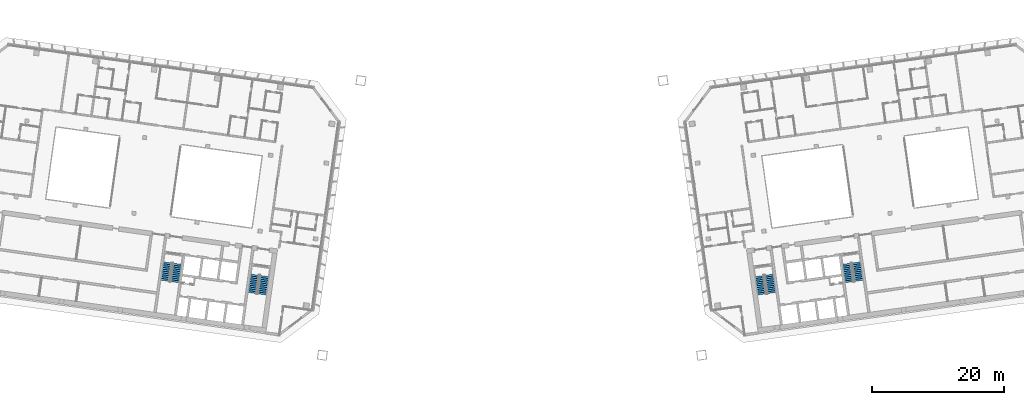
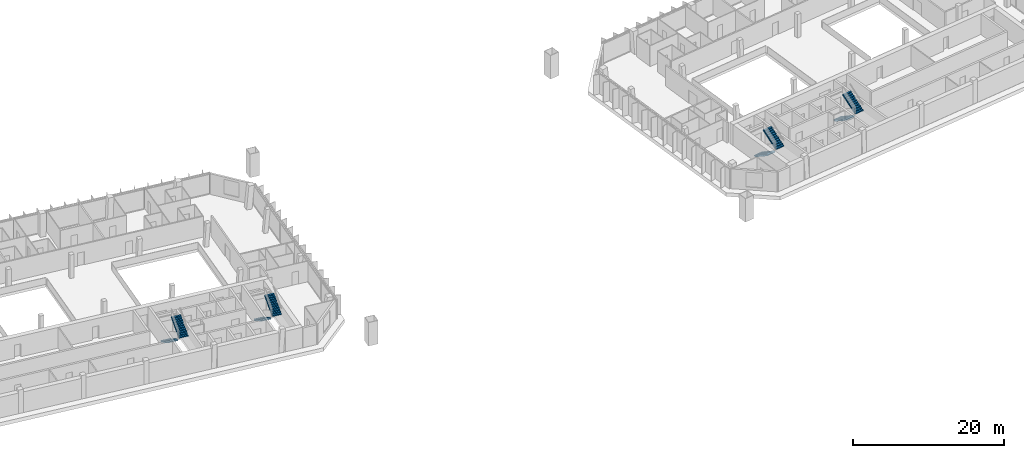
# One storey, part 20 of 22: 8 stair flights, 4 elements without a shape of their own.
"""IFC4 building model written with IfcOpenShell, lengths in metres."""

from ifc_helpers import new_model, si_unit, direction, frame, origin, place, context, subcontext, project, spatial, polyline, outline, extrude, material, type_object, element, aggregate, save


model = new_model("IFC4")

# Units and contexts
model_context = context("Model", 3, precision=1e-05, world=origin(), true_north=direction((0.0, 1.0)))
body_context = subcontext(model_context, "Body", "Model", "MODEL_VIEW")
ifc_project = project(units=[si_unit("LENGTHUNIT", "METRE"), si_unit("AREAUNIT", "SQUARE_METRE"), si_unit("VOLUMEUNIT", "CUBIC_METRE"), si_unit("PLANEANGLEUNIT", "RADIAN"), si_unit("MASSUNIT", "GRAM", prefix="KILO")], contexts=[model_context])

# Site, building, storey
site_placement = place(None, origin())
site = spatial("IfcSite", under=ifc_project, at=site_placement, CompositionType="ELEMENT")
building_placement = place(site_placement, origin())
building = spatial("IfcBuilding", under=site, at=building_placement, Name="Mirante Cascada Hotel Towers", CompositionType="ELEMENT")
storey_placement = place(building_placement, frame((0.0, 0.0, 191.6)))
storey = spatial("IfcBuildingStorey", under=building, at=storey_placement, Name="L45", CompositionType="ELEMENT", Elevation=191.6)

# Stair, stair flights
ifc_material_1 = material(Name="Concrete C35/45", Category="concrete")
stair_type = type_object("IfcStairType", Name="Exit stair half-turn 1350 concrete C35/45", PredefinedType="HALF_TURN_STAIR", material=ifc_material_1)
stair_1_placement = place(storey_placement, origin())
stair_1 = element("IfcStair", 1, at=stair_1_placement, inside=storey, type_object=stair_type, Name="L45 Exit stair A", PredefinedType="HALF_TURN_STAIR")
ifc_material_2 = material(Name="Concrete C35/45", Category="concrete")
stair_flight_type = type_object("IfcStairFlightType", Name="Exit stair flight 1350 concrete C35/45", PredefinedType="STRAIGHT", material=ifc_material_2)
stair_flight_1_placement = place(storey_placement, frame((-38.9417, -11.195, 0.0), z_axis=(0.0, 0.0, 1.0), x_axis=(-0.1391731, -0.9902681, 0.0)))
stair_flight_1 = element("IfcStairFlight", 2, at=stair_flight_1_placement, type_object=stair_flight_type, Name="ST1-A flight 1", NumberOfRisers=11, NumberOfTreads=10, PredefinedType="STRAIGHT", RiserHeight=0.172727273, TreadLength=0.28, context=body_context, shape_type="SweptSolid", body=[
    extrude(outline(polyline([(0.0, 0.0), (0.0, 0.1727), (0.28, 0.1727), (0.28, 0.3455), (0.56, 0.3455), (0.56, 0.5182), (0.84, 0.5182), (0.84, 0.6909), (1.12, 0.6909), (1.12, 0.8636), (1.4, 0.8636), (1.4, 1.0364), (1.68, 1.0364), (1.68, 1.2091), (1.96, 1.2091), (1.96, 1.3818), (2.24, 1.3818), (2.24, 1.5545), (2.52, 1.5545), (2.52, 1.7273), (2.8, 1.7273), (2.8, 1.9), (2.8, 1.551), (0.2857, 0.0), (0.0, 0.0)])), frame((0.0, 0.675, 0.0), z_axis=(0.0, -1.0, 0.0), x_axis=(1.0, 0.0, 0.0)), (0.0, 0.0, 1.0), 1.35),
])
stair_flight_2_placement = place(storey_placement, frame((-37.846, -14.1765, 1.9), z_axis=(0.0, 0.0, 1.0), x_axis=(0.1391731, 0.9902681, 0.0)))
stair_flight_2 = element("IfcStairFlight", 3, at=stair_flight_2_placement, type_object=stair_flight_type, Name="ST1-A flight 2", NumberOfRisers=11, NumberOfTreads=10, PredefinedType="STRAIGHT", RiserHeight=0.172727273, TreadLength=0.28, context=body_context, shape_type="SweptSolid", body=[
    extrude(outline(polyline([(0.0, 0.0), (0.0, 0.1727), (0.28, 0.1727), (0.28, 0.3455), (0.56, 0.3455), (0.56, 0.5182), (0.84, 0.5182), (0.84, 0.6909), (1.12, 0.6909), (1.12, 0.8636), (1.4, 0.8636), (1.4, 1.0364), (1.68, 1.0364), (1.68, 1.2091), (1.96, 1.2091), (1.96, 1.3818), (2.24, 1.3818), (2.24, 1.5545), (2.52, 1.5545), (2.52, 1.7273), (2.8, 1.7273), (2.8, 1.9), (2.8, 1.551), (0.2857, 0.0), (0.0, 0.0)])), frame((0.0, 0.675, 0.0), z_axis=(0.0, -1.0, 0.0), x_axis=(1.0, 0.0, 0.0)), (0.0, 0.0, 1.0), 1.35),
])
aggregate(stair_1, [stair_flight_1, stair_flight_2])

stair_2_placement = place(storey_placement, origin())
stair_2 = element("IfcStair", 4, at=stair_2_placement, inside=storey, type_object=stair_type, Name="L45 Exit stair B", PredefinedType="HALF_TURN_STAIR")
stair_flight_3_placement = place(storey_placement, frame((-52.1618, -9.3371, 0.0), z_axis=(0.0, 0.0, 1.0), x_axis=(-0.1391731, -0.9902681, 0.0)))
stair_flight_3 = element("IfcStairFlight", 5, at=stair_flight_3_placement, type_object=stair_flight_type, Name="ST1-B flight 1", NumberOfRisers=11, NumberOfTreads=10, PredefinedType="STRAIGHT", RiserHeight=0.172727273, TreadLength=0.28, context=body_context, shape_type="SweptSolid", body=[
    extrude(outline(polyline([(0.0, 0.0), (0.0, 0.1727), (0.28, 0.1727), (0.28, 0.3455), (0.56, 0.3455), (0.56, 0.5182), (0.84, 0.5182), (0.84, 0.6909), (1.12, 0.6909), (1.12, 0.8636), (1.4, 0.8636), (1.4, 1.0364), (1.68, 1.0364), (1.68, 1.2091), (1.96, 1.2091), (1.96, 1.3818), (2.24, 1.3818), (2.24, 1.5545), (2.52, 1.5545), (2.52, 1.7273), (2.8, 1.7273), (2.8, 1.9), (2.8, 1.551), (0.2857, 0.0), (0.0, 0.0)])), frame((0.0, 0.675, 0.0), z_axis=(0.0, -1.0, 0.0), x_axis=(1.0, 0.0, 0.0)), (0.0, 0.0, 1.0), 1.35),
])
stair_flight_4_placement = place(storey_placement, frame((-51.0661, -12.3186, 1.9), z_axis=(0.0, 0.0, 1.0), x_axis=(0.1391731, 0.9902681, 0.0)))
stair_flight_4 = element("IfcStairFlight", 6, at=stair_flight_4_placement, type_object=stair_flight_type, Name="ST1-B flight 2", NumberOfRisers=11, NumberOfTreads=10, PredefinedType="STRAIGHT", RiserHeight=0.172727273, TreadLength=0.28, context=body_context, shape_type="SweptSolid", body=[
    extrude(outline(polyline([(0.0, 0.0), (0.0, 0.1727), (0.28, 0.1727), (0.28, 0.3455), (0.56, 0.3455), (0.56, 0.5182), (0.84, 0.5182), (0.84, 0.6909), (1.12, 0.6909), (1.12, 0.8636), (1.4, 0.8636), (1.4, 1.0364), (1.68, 1.0364), (1.68, 1.2091), (1.96, 1.2091), (1.96, 1.3818), (2.24, 1.3818), (2.24, 1.5545), (2.52, 1.5545), (2.52, 1.7273), (2.8, 1.7273), (2.8, 1.9), (2.8, 1.551), (0.2857, 0.0), (0.0, 0.0)])), frame((0.0, 0.675, 0.0), z_axis=(0.0, -1.0, 0.0), x_axis=(1.0, 0.0, 0.0)), (0.0, 0.0, 1.0), 1.35),
])
aggregate(stair_2, [stair_flight_3, stair_flight_4])

stair_3_placement = place(storey_placement, origin())
stair_3 = element("IfcStair", 7, at=stair_3_placement, inside=storey, type_object=stair_type, Name="L45 Exit stair A", PredefinedType="HALF_TURN_STAIR")
stair_flight_5_placement = place(storey_placement, frame((37.4563, -11.4038, 0.0), z_axis=(0.0, 0.0, 1.0), x_axis=(0.1391731, -0.9902681, 0.0)))
stair_flight_5 = element("IfcStairFlight", 8, at=stair_flight_5_placement, type_object=stair_flight_type, Name="ST2-A flight 1", NumberOfRisers=11, NumberOfTreads=10, PredefinedType="STRAIGHT", RiserHeight=0.172727273, TreadLength=0.28, context=body_context, shape_type="SweptSolid", body=[
    extrude(outline(polyline([(0.0, 0.0), (0.0, 0.1727), (0.28, 0.1727), (0.28, 0.3455), (0.56, 0.3455), (0.56, 0.5182), (0.84, 0.5182), (0.84, 0.6909), (1.12, 0.6909), (1.12, 0.8636), (1.4, 0.8636), (1.4, 1.0364), (1.68, 1.0364), (1.68, 1.2091), (1.96, 1.2091), (1.96, 1.3818), (2.24, 1.3818), (2.24, 1.5545), (2.52, 1.5545), (2.52, 1.7273), (2.8, 1.7273), (2.8, 1.9), (2.8, 1.551), (0.2857, 0.0), (0.0, 0.0)])), frame((0.0, 0.675, 0.0), z_axis=(0.0, -1.0, 0.0), x_axis=(1.0, 0.0, 0.0)), (0.0, 0.0, 1.0), 1.35),
])
stair_flight_6_placement = place(storey_placement, frame((39.3314, -13.9678, 1.9), z_axis=(0.0, 0.0, 1.0), x_axis=(-0.1391731, 0.9902681, 0.0)))
stair_flight_6 = element("IfcStairFlight", 9, at=stair_flight_6_placement, type_object=stair_flight_type, Name="ST2-A flight 2", NumberOfRisers=11, NumberOfTreads=10, PredefinedType="STRAIGHT", RiserHeight=0.172727273, TreadLength=0.28, context=body_context, shape_type="SweptSolid", body=[
    extrude(outline(polyline([(0.0, 0.0), (0.0, 0.1727), (0.28, 0.1727), (0.28, 0.3455), (0.56, 0.3455), (0.56, 0.5182), (0.84, 0.5182), (0.84, 0.6909), (1.12, 0.6909), (1.12, 0.8636), (1.4, 0.8636), (1.4, 1.0364), (1.68, 1.0364), (1.68, 1.2091), (1.96, 1.2091), (1.96, 1.3818), (2.24, 1.3818), (2.24, 1.5545), (2.52, 1.5545), (2.52, 1.7273), (2.8, 1.7273), (2.8, 1.9), (2.8, 1.551), (0.2857, 0.0), (0.0, 0.0)])), frame((0.0, 0.675, 0.0), z_axis=(0.0, -1.0, 0.0), x_axis=(1.0, 0.0, 0.0)), (0.0, 0.0, 1.0), 1.35),
])
aggregate(stair_3, [stair_flight_5, stair_flight_6])

stair_4_placement = place(storey_placement, origin())
stair_4 = element("IfcStair", 10, at=stair_4_placement, inside=storey, type_object=stair_type, Name="L45 Exit stair B", PredefinedType="HALF_TURN_STAIR")
stair_flight_7_placement = place(storey_placement, frame((50.6764, -9.5458, 0.0), z_axis=(0.0, 0.0, 1.0), x_axis=(0.1391731, -0.9902681, 0.0)))
stair_flight_7 = element("IfcStairFlight", 11, at=stair_flight_7_placement, type_object=stair_flight_type, Name="ST2-B flight 1", NumberOfRisers=11, NumberOfTreads=10, PredefinedType="STRAIGHT", RiserHeight=0.172727273, TreadLength=0.28, context=body_context, shape_type="SweptSolid", body=[
    extrude(outline(polyline([(0.0, 0.0), (0.0, 0.1727), (0.28, 0.1727), (0.28, 0.3455), (0.56, 0.3455), (0.56, 0.5182), (0.84, 0.5182), (0.84, 0.6909), (1.12, 0.6909), (1.12, 0.8636), (1.4, 0.8636), (1.4, 1.0364), (1.68, 1.0364), (1.68, 1.2091), (1.96, 1.2091), (1.96, 1.3818), (2.24, 1.3818), (2.24, 1.5545), (2.52, 1.5545), (2.52, 1.7273), (2.8, 1.7273), (2.8, 1.9), (2.8, 1.551), (0.2857, 0.0), (0.0, 0.0)])), frame((0.0, 0.675, 0.0), z_axis=(0.0, -1.0, 0.0), x_axis=(1.0, 0.0, 0.0)), (0.0, 0.0, 1.0), 1.35),
])
stair_flight_8_placement = place(storey_placement, frame((52.5515, -12.1098, 1.9), z_axis=(0.0, 0.0, 1.0), x_axis=(-0.1391731, 0.9902681, 0.0)))
stair_flight_8 = element("IfcStairFlight", 12, at=stair_flight_8_placement, type_object=stair_flight_type, Name="ST2-B flight 2", NumberOfRisers=11, NumberOfTreads=10, PredefinedType="STRAIGHT", RiserHeight=0.172727273, TreadLength=0.28, context=body_context, shape_type="SweptSolid", body=[
    extrude(outline(polyline([(0.0, 0.0), (0.0, 0.1727), (0.28, 0.1727), (0.28, 0.3455), (0.56, 0.3455), (0.56, 0.5182), (0.84, 0.5182), (0.84, 0.6909), (1.12, 0.6909), (1.12, 0.8636), (1.4, 0.8636), (1.4, 1.0364), (1.68, 1.0364), (1.68, 1.2091), (1.96, 1.2091), (1.96, 1.3818), (2.24, 1.3818), (2.24, 1.5545), (2.52, 1.5545), (2.52, 1.7273), (2.8, 1.7273), (2.8, 1.9), (2.8, 1.551), (0.2857, 0.0), (0.0, 0.0)])), frame((0.0, 0.675, 0.0), z_axis=(0.0, -1.0, 0.0), x_axis=(1.0, 0.0, 0.0)), (0.0, 0.0, 1.0), 1.35),
])
aggregate(stair_4, [stair_flight_7, stair_flight_8])

save(model, "model.ifc")
